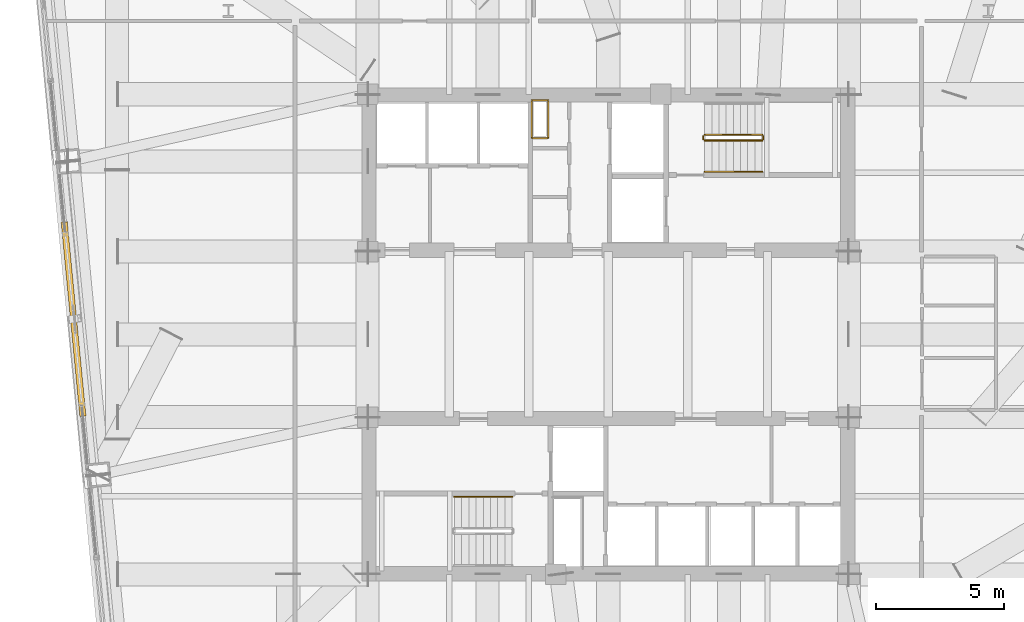
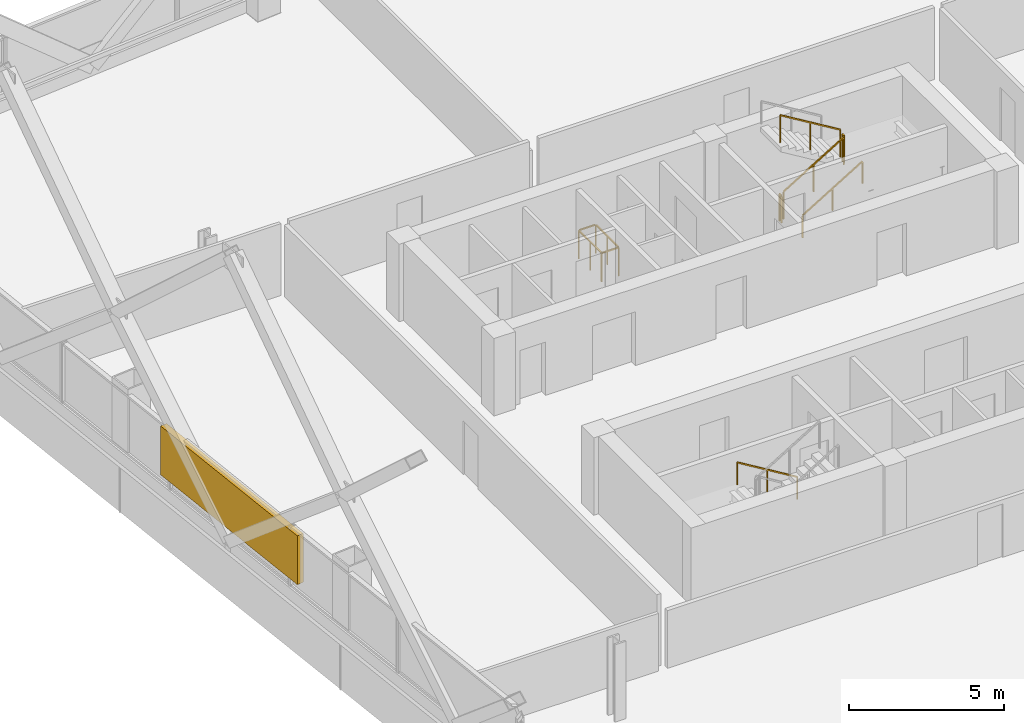
# One storey, part 41 of 42: 7 railings, 1 shading device.
"""IFC4 building model written with IfcOpenShell, lengths in metres."""

from ifc_helpers import new_model, si_unit, direction, frame, origin, origin_2d, place, context, subcontext, project, spatial, rectangle, extrude, material, type_object, element, save


model = new_model("IFC4")

# Units and contexts
model_context = context("Model", 3, precision=1e-05, world=origin(), true_north=direction((0.0, 1.0)))
body_context = subcontext(model_context, "Body", "Model", "MODEL_VIEW")
ifc_project = project(units=[si_unit("LENGTHUNIT", "METRE"), si_unit("AREAUNIT", "SQUARE_METRE"), si_unit("VOLUMEUNIT", "CUBIC_METRE"), si_unit("PLANEANGLEUNIT", "RADIAN"), si_unit("MASSUNIT", "GRAM", prefix="KILO")], contexts=[model_context])

# Site, building, storey
site_placement = place(None, origin())
site = spatial("IfcSite", under=ifc_project, at=site_placement, CompositionType="ELEMENT")
building_placement = place(site_placement, origin())
building = spatial("IfcBuilding", under=site, at=building_placement, Name="Qhalaya Broadcast Tower", CompositionType="ELEMENT")
storey_placement = place(building_placement, frame((0.0, 0.0, 69.449951171875)))
storey = spatial("IfcBuildingStorey", under=building, at=storey_placement, Name="L19", CompositionType="ELEMENT", Elevation=69.449951171875)

# Railings
ifc_material_1 = material(Name="Powder-Coated Galvanised Steel", Category="steel")
railing_type_1 = type_object("IfcRailingType", Name="Stair Wall Handrail 900", PredefinedType="HANDRAIL", material=ifc_material_1)
railing_1_placement = place(storey_placement, frame((3.75, 6.929931640625, 0.16943359375)))
element("IfcRailing", 1, at=railing_1_placement, inside=storey, type_object=railing_type_1, Name="L19 ST-1 Stair Handrail 1", PredefinedType="HANDRAIL", context=body_context, shape_type="SweptSolid", body=[
    extrude(rectangle(XDim=0.048095703125, YDim=0.048095703125, at=origin_2d()), frame((0.0, 0.0, 0.8759765625), z_axis=(0.855512035549, 0.0, 0.517782924622), x_axis=(0.0, 1.0, 0.0)), (0.0, 0.0, 1.0), 2.618408203125),
    extrude(rectangle(XDim=0.0419921875, YDim=0.0419921875, at=origin_2d()), origin(), (0.0, 0.0, 1.0), 0.849853515625),
    extrude(rectangle(XDim=0.0419921875, YDim=0.0419921875, at=origin_2d()), frame((1.1201171875, 0.0, 0.677734375)), (0.0, 0.0, 1.0), 0.849853515625),
    extrude(rectangle(XDim=0.0419921875, YDim=0.0419921875, at=origin_2d()), frame((2.239990234375, 0.0, 1.355712890625)), (0.0, 0.0, 1.0), 0.849853515625),
])
railing_2_placement = place(storey_placement, frame((-3.75, -5.72998046875, 0.16943359375)))
element("IfcRailing", 2, at=railing_2_placement, inside=storey, type_object=railing_type_1, Name="L19 ST-2 Stair Handrail 1", PredefinedType="HANDRAIL", context=body_context, shape_type="SweptSolid", body=[
    extrude(rectangle(XDim=0.048095703125, YDim=0.048095703125, at=origin_2d()), frame((0.0, 0.0, 0.8759765625), z_axis=(-0.855512035549, 0.0, 0.517782924622), x_axis=(0.0, -1.0, 0.0)), (0.0, 0.0, 1.0), 2.618408203125),
    extrude(rectangle(XDim=0.0419921875, YDim=0.0419921875, at=origin_2d()), origin(), (0.0, 0.0, 1.0), 0.849853515625),
    extrude(rectangle(XDim=0.0419921875, YDim=0.0419921875, at=origin_2d()), frame((-1.1201171875, 0.0, 0.677734375)), (0.0, 0.0, 1.0), 0.849853515625),
    extrude(rectangle(XDim=0.0419921875, YDim=0.0419921875, at=origin_2d()), frame((-2.239990234375, 0.0, 1.355712890625)), (0.0, 0.0, 1.0), 0.849853515625),
])
railing_type_2 = type_object("IfcRailingType", Name="Stair Well & Landing Guardrail 1100", PredefinedType="GUARDRAIL", material=ifc_material_1)
railing_3_placement = place(storey_placement, frame((-2.340087890625, 8.239990234375, 0.0)))
element("IfcRailing", 3, at=railing_3_placement, inside=storey, type_object=railing_type_2, Name="L19 Service Riser Opening Safety Guard NRSR", PredefinedType="GUARDRAIL", context=body_context, shape_type="SweptSolid", body=[
    extrude(rectangle(XDim=0.048095703125, YDim=0.048095703125, at=origin_2d()), frame((0.0, 0.02880859375, 1.1259765625), z_axis=(0.0, 1.0, 0.0), x_axis=(-1.0, 0.0, 0.0)), (0.0, 0.0, 1.0), 1.42236328125),
    extrude(rectangle(XDim=0.048095703125, YDim=0.048095703125, at=origin_2d()), frame((-0.02880859375, 1.47998046875, 1.1259765625), z_axis=(-1.0, 0.0, 0.0), x_axis=(0.0, -1.0, 0.0)), (0.0, 0.0, 1.0), 0.582275390625),
    extrude(rectangle(XDim=0.048095703125, YDim=0.048095703125, at=origin_2d()), frame((-0.639892578125, 1.451171875, 1.1259765625), z_axis=(0.0, -1.0, 0.0), x_axis=(1.0, 0.0, 0.0)), (0.0, 0.0, 1.0), 1.42236328125),
    extrude(rectangle(XDim=0.048095703125, YDim=0.048095703125, at=origin_2d()), frame((-0.611083984375, 0.0, 1.1259765625), z_axis=(1.0, 0.0, 0.0), x_axis=(0.0, 1.0, 0.0)), (0.0, 0.0, 1.0), 0.582275390625),
    extrude(rectangle(XDim=0.0419921875, YDim=0.0419921875, at=origin_2d()), origin(), (0.0, 0.0, 1.0), 1.099853515625),
    extrude(rectangle(XDim=0.0419921875, YDim=0.0419921875, at=origin_2d()), frame((0.0, 0.739990234375, 0.0)), (0.0, 0.0, 1.0), 1.099853515625),
    extrude(rectangle(XDim=0.0419921875, YDim=0.0419921875, at=origin_2d()), frame((0.0, 1.47998046875, 0.0)), (0.0, 0.0, 1.0), 1.099853515625),
    extrude(rectangle(XDim=0.0419921875, YDim=0.0419921875, at=origin_2d()), frame((-0.639892578125, 1.47998046875, 0.0)), (0.0, 0.0, 1.0), 1.099853515625),
    extrude(rectangle(XDim=0.0419921875, YDim=0.0419921875, at=origin_2d()), frame((-0.639892578125, 0.739990234375, 0.0)), (0.0, 0.0, 1.0), 1.099853515625),
    extrude(rectangle(XDim=0.0419921875, YDim=0.0419921875, at=origin_2d()), frame((-0.639892578125, 0.0, 0.0)), (0.0, 0.0, 1.0), 1.099853515625),
])
railing_4_placement = place(storey_placement, frame((3.75, 8.14990234375, 0.16943359375)))
element("IfcRailing", 4, at=railing_4_placement, inside=storey, type_object=railing_type_2, Name="L19 ST-1 Stair Guard 1", PredefinedType="GUARDRAIL", context=body_context, shape_type="SweptSolid", body=[
    extrude(rectangle(XDim=0.048095703125, YDim=0.048095703125, at=origin_2d()), frame((0.0, 0.0, 1.076171875), z_axis=(0.855512035549, 0.0, 0.517782924622), x_axis=(0.0, 1.0, 0.0)), (0.0, 0.0, 1.0), 2.618408203125),
    extrude(rectangle(XDim=0.0419921875, YDim=0.0419921875, at=origin_2d()), origin(), (0.0, 0.0, 1.0), 1.050048828125),
    extrude(rectangle(XDim=0.0419921875, YDim=0.0419921875, at=origin_2d()), frame((1.1201171875, 0.0, 0.677734375)), (0.0, 0.0, 1.0), 1.050048828125),
    extrude(rectangle(XDim=0.0419921875, YDim=0.0419921875, at=origin_2d()), frame((2.239990234375, 0.0, 1.355712890625)), (0.0, 0.0, 1.0), 1.050048828125),
])
railing_5_placement = place(storey_placement, frame((6.0400390625, 8.199951171875, 1.525146484375)))
element("IfcRailing", 5, at=railing_5_placement, inside=storey, type_object=railing_type_2, Name="L19 ST-1 Stair Guard 2", PredefinedType="GUARDRAIL", context=body_context, shape_type="SweptSolid", body=[
    extrude(rectangle(XDim=0.048095703125, YDim=0.048095703125, at=origin_2d()), frame((0.0, 0.0, 1.076171875), z_axis=(0.0, 1.0, 0.0), x_axis=(-1.0, 0.0, 0.0)), (0.0, 0.0, 1.0), 0.1201171875),
    extrude(rectangle(XDim=0.0419921875, YDim=0.0419921875, at=origin_2d()), origin(), (0.0, 0.0, 1.0), 1.050048828125),
    extrude(rectangle(XDim=0.0419921875, YDim=0.0419921875, at=origin_2d()), frame((0.0, 0.1201171875, 0.0)), (0.0, 0.0, 1.0), 1.050048828125),
])
railing_6_placement = place(storey_placement, frame((5.989990234375, 8.3701171875, 1.694580078125)))
element("IfcRailing", 6, at=railing_6_placement, inside=storey, type_object=railing_type_2, Name="L19 ST-1 Stair Guard 3", PredefinedType="GUARDRAIL", context=body_context, shape_type="SweptSolid", body=[
    extrude(rectangle(XDim=0.048095703125, YDim=0.048095703125, at=origin_2d()), frame((0.0, 0.0, 1.076171875), z_axis=(-0.855553338991, 0.0, 0.51771467445), x_axis=(0.0, -1.0, 0.0)), (0.0, 0.0, 1.0), 2.6181640625),
    extrude(rectangle(XDim=0.0419921875, YDim=0.0419921875, at=origin_2d()), origin(), (0.0, 0.0, 1.0), 1.050048828125),
    extrude(rectangle(XDim=0.0419921875, YDim=0.0419921875, at=origin_2d()), frame((-1.1201171875, 0.0, 0.677734375)), (0.0, 0.0, 1.0), 1.050048828125),
    extrude(rectangle(XDim=0.0419921875, YDim=0.0419921875, at=origin_2d()), frame((-2.239990234375, 0.0, 1.35546875)), (0.0, 0.0, 1.0), 1.050048828125),
])
railing_7_placement = place(storey_placement, frame((3.699951171875, 8.199951171875, 0.0)))
element("IfcRailing", 7, at=railing_7_placement, inside=storey, type_object=railing_type_2, Name="L19 ST-1 Stair Guard 4", PredefinedType="GUARDRAIL", context=body_context, shape_type="SweptSolid", body=[
    extrude(rectangle(XDim=0.048095703125, YDim=0.048095703125, at=origin_2d()), frame((0.0, 0.0, 1.076171875), z_axis=(0.0, 1.0, 0.0), x_axis=(-1.0, 0.0, 0.0)), (0.0, 0.0, 1.0), 0.1201171875),
    extrude(rectangle(XDim=0.0419921875, YDim=0.0419921875, at=origin_2d()), origin(), (0.0, 0.0, 1.0), 1.050048828125),
    extrude(rectangle(XDim=0.0419921875, YDim=0.0419921875, at=origin_2d()), frame((0.0, 0.1201171875, 0.0)), (0.0, 0.0, 1.0), 1.050048828125),
])

# Shading device
ifc_material_2 = material(Name="Fired Architectural Terracotta", Category="masonry")
shading_device_type = type_object("IfcShadingDeviceType", Name="Terracotta Baguette Solar Screen Assembly TBS-01", PredefinedType="USERDEFINED", material=ifc_material_2)
shading_device_placement = place(storey_placement, frame((-20.827392578125, 1.193603515625, 0.79248046875), z_axis=(0.0, 0.0, 1.0), x_axis=(0.09584575252, -0.995396198367, 0.0)))
element("IfcShadingDevice", 8, at=shading_device_placement, inside=storey, type_object=shading_device_type, Name="L19 Fired Terracotta Baguette Screen W", ObjectType="BAGUETTE", PredefinedType="USERDEFINED", context=body_context, shape_type="SweptSolid", body=[
    extrude(rectangle(XDim=7.60009765625, YDim=0.239990234375, at=origin_2d()), origin(), (0.0, 0.0, 1.0), 1.924072265625),
])

save(model, "model.ifc")
